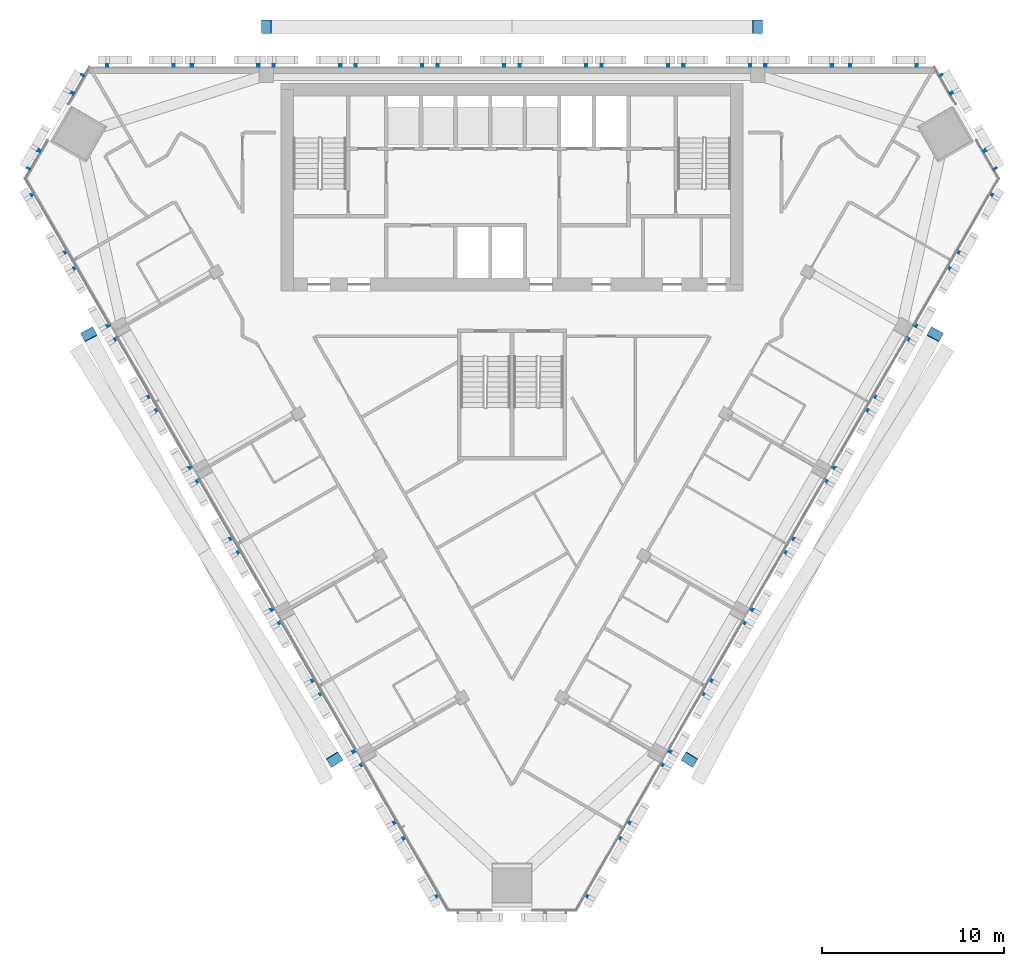
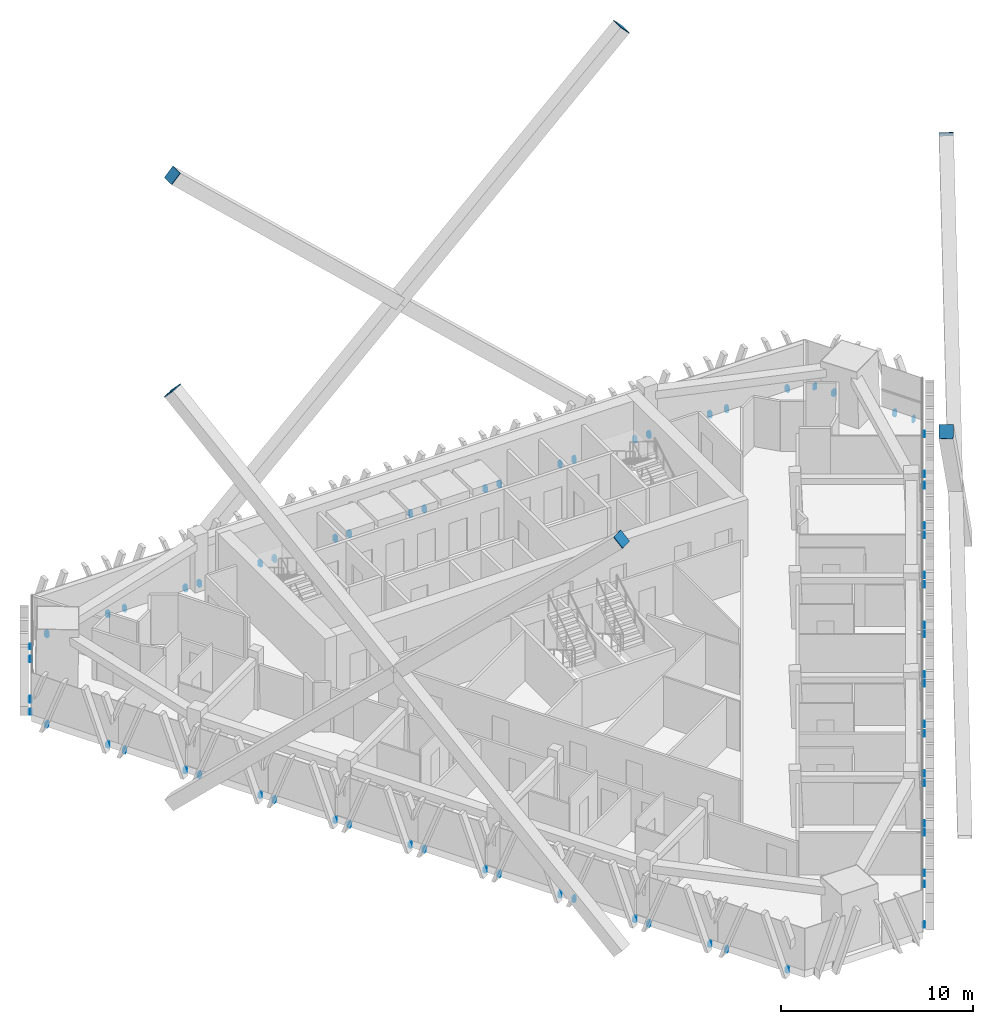
# One storey, part 15 of 18: 11 discrete accessories.
"""IFC4 building model written with IfcOpenShell, lengths in metres."""

from ifc_helpers import new_model, si_unit, direction, frame, origin, origin_2d, place, context, subcontext, project, spatial, polyline, rectangle, outline, extrude, source, transform, mapped, material, material_profile, profile_set, type_object, element, save


model = new_model("IFC4")

# Units and contexts
model_context = context("Model", 3, precision=1e-05, world=origin(), true_north=direction((0.0, 1.0)))
body_context = subcontext(model_context, "Body", "Model", "MODEL_VIEW")
ifc_project = project(units=[si_unit("LENGTHUNIT", "METRE"), si_unit("AREAUNIT", "SQUARE_METRE"), si_unit("VOLUMEUNIT", "CUBIC_METRE"), si_unit("PLANEANGLEUNIT", "RADIAN"), si_unit("MASSUNIT", "GRAM", prefix="KILO")], contexts=[model_context])

# Site, building, storey
site_placement = place(None, origin())
site = spatial("IfcSite", under=ifc_project, at=site_placement, CompositionType="ELEMENT")
building_placement = place(site_placement, origin())
building = spatial("IfcBuilding", under=site, at=building_placement, Name="Altiplano Prism Tower", CompositionType="ELEMENT")
storey_placement = place(building_placement, frame((0.0, 0.0, 163.800048828125)))
storey = spatial("IfcBuildingStorey", under=building, at=storey_placement, Name="L42", CompositionType="ELEMENT", Elevation=163.800048828125)

# Discrete accessories
ifc_material_1 = material(Name="Steel S355", Category="steel")
ifc_material_profile = material_profile(ifc_material_1, rectangle(XDim=0.75, YDim=0.75, at=origin_2d()), Name="Brace end plate 750x750x40")
ifc_profile_set = profile_set([ifc_material_profile], Name="Steel S355")
discrete_accessory_type_1 = type_object("IfcDiscreteAccessoryType", Name="Brace end plate 750x750x40", PredefinedType="ANCHORPLATE", material=ifc_profile_set)
for number, where, z_axis, x_axis, name in (
    (1, (71.5, 107.199951171875, 24.550048828125), (0.725151558483, 0.0, -0.68858929503), (0.0, 1.0, 0.0), "Brace end plate Mega brace 4.0.2 end 2"),
    (2, (98.5, 107.199951171875, 24.550048828125), (-0.725151558483, 0.0, -0.68858929503), (0.0, -1.0, 0.0), "Brace end plate Mega brace 4.0.4 end 2"),
):
    element("IfcDiscreteAccessory", number, at=place(storey_placement, frame(where, z_axis=z_axis, x_axis=x_axis)), inside=storey, type_object=discrete_accessory_type_1, Name=name, PredefinedType="ANCHORPLATE", context=body_context, shape_type="SweptSolid", body=[
        extrude(rectangle(XDim=0.75, YDim=0.75, at=origin_2d()), origin(), (0.0, 0.0, 1.0), 0.0400390625),
    ])
discrete_accessory_1_placement = place(storey_placement, frame((75.2578125, 66.943115234375, 24.550048828125), z_axis=(-0.382232579496, 0.612785563954, -0.691658953374), x_axis=(-0.848469916802, -0.52924361147, 0.0)))
element("IfcDiscreteAccessory", 3, at=discrete_accessory_1_placement, inside=storey, type_object=discrete_accessory_type_1, Name="Brace end plate Mega brace 4.1.2 end 2", PredefinedType="ANCHORPLATE", context=body_context, shape_type="SweptSolid", body=[
    extrude(rectangle(XDim=0.75, YDim=0.75, at=origin_2d()), origin(), (0.0, 0.0, 1.0), 0.040283203125),
])
for number, where, z_axis, x_axis, name in (
    (4, (61.7578125, 90.325927734375, 24.550048828125), (0.341399953854, -0.652317768972, -0.676703479961), (0.885993551439, 0.463697559632, 0.0), "Brace end plate Mega brace 4.1.4 end 2"),
    (5, (108.2421875, 90.325927734375, 24.550048828125), (-0.341399953854, -0.652317768972, -0.676703479961), (0.885993551439, -0.463697559632, 0.0), "Brace end plate Mega brace 4.2.2 end 2"),
):
    element("IfcDiscreteAccessory", number, at=place(storey_placement, frame(where, z_axis=z_axis, x_axis=x_axis)), inside=storey, type_object=discrete_accessory_type_1, Name=name, PredefinedType="ANCHORPLATE", context=body_context, shape_type="SweptSolid", body=[
        extrude(rectangle(XDim=0.75, YDim=0.75, at=origin_2d()), origin(), (0.0, 0.0, 1.0), 0.0400390625),
    ])
discrete_accessory_2_placement = place(storey_placement, frame((94.7421875, 66.943115234375, 24.550048828125), z_axis=(0.382232579496, 0.612785563954, -0.691658953374), x_axis=(-0.848469916802, 0.52924361147, 0.0)))
element("IfcDiscreteAccessory", 6, at=discrete_accessory_2_placement, inside=storey, type_object=discrete_accessory_type_1, Name="Brace end plate Mega brace 4.2.4 end 2", PredefinedType="ANCHORPLATE", context=body_context, shape_type="SweptSolid", body=[
    extrude(rectangle(XDim=0.75, YDim=0.75, at=origin_2d()), origin(), (0.0, 0.0, 1.0), 0.040283203125),
])
ifc_material_2 = material(Name="Stainless steel", Category="steel")
discrete_accessory_type_2 = type_object("IfcDiscreteAccessoryType", Name="Stone fin fixing prongs", PredefinedType="USERDEFINED", material=ifc_material_2)
shared_shape_1 = source(origin(), body_context, "Body", "SweptSolid", [
    extrude(outline(polyline([(-1.888427734375, 0.06005859375), (-1.768310546875, 0.06005859375), (-1.768310546875, 0.389892578125), (-1.888427734375, 0.389892578125), (-1.888427734375, 0.06005859375)])), frame((0.0, 0.0, 0.0), z_axis=(0.0, -1.0, 0.0), x_axis=(1.0, 0.0, 0.0)), (0.0, 0.0, 1.0), 0.14990234375),
    extrude(outline(polyline([(1.768310546875, 0.06005859375), (1.888427734375, 0.06005859375), (1.888427734375, 0.389892578125), (1.768310546875, 0.389892578125), (1.768310546875, 0.06005859375)])), frame((0.0, 0.0, 0.0), z_axis=(0.0, -1.0, 0.0), x_axis=(1.0, 0.0, 0.0)), (0.0, 0.0, 1.0), 0.14990234375),
])
shared_shape_2 = source(origin(), body_context, "Body", "SweptSolid", [
    extrude(outline(polyline([(-1.888427734375, 0.06005859375), (-1.768310546875, 0.06005859375), (-1.768310546875, 0.389892578125), (-1.888427734375, 0.389892578125), (-1.888427734375, 0.06005859375)])), frame((0.0, 0.0, 0.0), z_axis=(0.0, -1.0, 0.0), x_axis=(1.0, 0.0, 0.0)), (0.0, 0.0, 1.0), 0.14990234375),
    extrude(outline(polyline([(1.768310546875, 0.06005859375), (1.888427734375, 0.06005859375), (1.888427734375, 0.389892578125), (1.768310546875, 0.389892578125), (1.768310546875, 0.06005859375)])), frame((0.0, 0.0, 0.0), z_axis=(0.0, -1.0, 0.0), x_axis=(1.0, 0.0, 0.0)), (0.0, 0.0, 1.0), 0.14990234375),
])
discrete_accessory_3_placement = place(storey_placement, origin())
element("IfcDiscreteAccessory", 7, at=discrete_accessory_3_placement, inside=storey, type_object=discrete_accessory_type_2, Name="Fin fixings L42 north face", ObjectType="BRACKET", PredefinedType="USERDEFINED", context=body_context, shape_type="MappedRepresentation", body=[
    mapped(shared_shape_1, transform((105.409423828125, 105.0, -0.449951171875), x_axis=(-1.0, 0.0, 0.0), y_axis=(0.0, -1.0, 0.0), z_axis=(0.0, 0.0, 1.0))),
    mapped(shared_shape_2, transform((100.75, 105.0, -0.449951171875), x_axis=(-1.0, 0.0, 0.0), y_axis=(0.0, -1.0, 0.0), z_axis=(0.0, 0.0, 1.0))),
    mapped(shared_shape_2, transform((96.25, 105.0, -0.449951171875), x_axis=(-1.0, 0.0, 0.0), y_axis=(0.0, -1.0, 0.0), z_axis=(0.0, 0.0, 1.0))),
    mapped(shared_shape_2, transform((91.75, 105.0, -0.449951171875), x_axis=(-1.0, 0.0, 0.0), y_axis=(0.0, -1.0, 0.0), z_axis=(0.0, 0.0, 1.0))),
    mapped(shared_shape_2, transform((87.25, 105.0, -0.449951171875), x_axis=(-1.0, 0.0, 0.0), y_axis=(0.0, -1.0, 0.0), z_axis=(0.0, 0.0, 1.0))),
    mapped(shared_shape_2, transform((82.75, 105.0, -0.449951171875), x_axis=(-1.0, 0.0, 0.0), y_axis=(0.0, -1.0, 0.0), z_axis=(0.0, 0.0, 1.0))),
    mapped(shared_shape_2, transform((78.25, 105.0, -0.449951171875), x_axis=(-1.0, 0.0, 0.0), y_axis=(0.0, -1.0, 0.0), z_axis=(0.0, 0.0, 1.0))),
    mapped(shared_shape_2, transform((73.75, 105.0, -0.449951171875), x_axis=(-1.0, 0.0, 0.0), y_axis=(0.0, -1.0, 0.0), z_axis=(0.0, 0.0, 1.0))),
    mapped(shared_shape_2, transform((69.25, 105.0, -0.449951171875), x_axis=(-1.0, 0.0, 0.0), y_axis=(0.0, -1.0, 0.0), z_axis=(0.0, 0.0, 1.0))),
    mapped(shared_shape_1, transform((64.590576171875, 105.0, -0.449951171875), x_axis=(-1.0, 0.0, 0.0), y_axis=(0.0, -1.0, 0.0), z_axis=(0.0, 0.0, 1.0))),
])
discrete_accessory_4_placement = place(storey_placement, origin())
element("IfcDiscreteAccessory", 8, at=discrete_accessory_4_placement, inside=storey, type_object=discrete_accessory_type_2, Name="Fin fixings L42 south-west face", ObjectType="BRACKET", PredefinedType="USERDEFINED", context=body_context, shape_type="MappedRepresentation", body=[
    mapped(shared_shape_1, transform((59.6484375, 96.439697265625, -0.449951171875), x_axis=(0.500000004956, -0.866025400923, 0.0), y_axis=(0.866025400923, 0.500000004956, 0.0), z_axis=(0.0, 0.0, 1.0))),
    mapped(shared_shape_2, transform((61.97802734375, 92.404541015625, -0.449951171875), x_axis=(0.500000004956, -0.866025400923, 0.0), y_axis=(0.866025400923, 0.500000004956, 0.0), z_axis=(0.0, 0.0, 1.0))),
    mapped(shared_shape_2, transform((64.22802734375, 88.507568359375, -0.449951171875), x_axis=(0.500000004956, -0.866025400923, 0.0), y_axis=(0.866025400923, 0.500000004956, 0.0), z_axis=(0.0, 0.0, 1.0))),
    mapped(shared_shape_2, transform((66.47802734375, 84.6103515625, -0.449951171875), x_axis=(0.500000004956, -0.866025400923, 0.0), y_axis=(0.866025400923, 0.500000004956, 0.0), z_axis=(0.0, 0.0, 1.0))),
    mapped(shared_shape_2, transform((68.72802734375, 80.71337890625, -0.449951171875), x_axis=(0.500000004956, -0.866025400923, 0.0), y_axis=(0.866025400923, 0.500000004956, 0.0), z_axis=(0.0, 0.0, 1.0))),
    mapped(shared_shape_2, transform((70.97802734375, 76.816162109375, -0.449951171875), x_axis=(0.500000004956, -0.866025400923, 0.0), y_axis=(0.866025400923, 0.500000004956, 0.0), z_axis=(0.0, 0.0, 1.0))),
    mapped(shared_shape_2, transform((73.22802734375, 72.919189453125, -0.449951171875), x_axis=(0.500000004956, -0.866025400923, 0.0), y_axis=(0.866025400923, 0.500000004956, 0.0), z_axis=(0.0, 0.0, 1.0))),
    mapped(shared_shape_2, transform((75.47802734375, 69.02197265625, -0.449951171875), x_axis=(0.500000004956, -0.866025400923, 0.0), y_axis=(0.866025400923, 0.500000004956, 0.0), z_axis=(0.0, 0.0, 1.0))),
    mapped(shared_shape_2, transform((77.72802734375, 65.124755859375, -0.449951171875), x_axis=(0.500000004956, -0.866025400923, 0.0), y_axis=(0.866025400923, 0.500000004956, 0.0), z_axis=(0.0, 0.0, 1.0))),
    mapped(shared_shape_1, transform((80.057861328125, 61.08984375, -0.449951171875), x_axis=(0.500000004956, -0.866025400923, 0.0), y_axis=(0.866025400923, 0.500000004956, 0.0), z_axis=(0.0, 0.0, 1.0))),
])
discrete_accessory_5_placement = place(storey_placement, origin())
element("IfcDiscreteAccessory", 9, at=discrete_accessory_5_placement, inside=storey, type_object=discrete_accessory_type_2, Name="Fin fixings L42 south-east face", ObjectType="BRACKET", PredefinedType="USERDEFINED", context=body_context, shape_type="MappedRepresentation", body=[
    mapped(shared_shape_1, transform((89.942138671875, 61.08984375, -0.449951171875), x_axis=(0.500000004956, 0.866025400923, 0.0), y_axis=(-0.866025400923, 0.500000004956, 0.0), z_axis=(0.0, 0.0, 1.0))),
    mapped(shared_shape_2, transform((92.27197265625, 65.124755859375, -0.449951171875), x_axis=(0.500000004956, 0.866025400923, 0.0), y_axis=(-0.866025400923, 0.500000004956, 0.0), z_axis=(0.0, 0.0, 1.0))),
    mapped(shared_shape_2, transform((94.52197265625, 69.02197265625, -0.449951171875), x_axis=(0.500000004956, 0.866025400923, 0.0), y_axis=(-0.866025400923, 0.500000004956, 0.0), z_axis=(0.0, 0.0, 1.0))),
    mapped(shared_shape_2, transform((96.77197265625, 72.919189453125, -0.449951171875), x_axis=(0.500000004956, 0.866025400923, 0.0), y_axis=(-0.866025400923, 0.500000004956, 0.0), z_axis=(0.0, 0.0, 1.0))),
    mapped(shared_shape_2, transform((99.02197265625, 76.816162109375, -0.449951171875), x_axis=(0.500000004956, 0.866025400923, 0.0), y_axis=(-0.866025400923, 0.500000004956, 0.0), z_axis=(0.0, 0.0, 1.0))),
    mapped(shared_shape_2, transform((101.27197265625, 80.71337890625, -0.449951171875), x_axis=(0.500000004956, 0.866025400923, 0.0), y_axis=(-0.866025400923, 0.500000004956, 0.0), z_axis=(0.0, 0.0, 1.0))),
    mapped(shared_shape_2, transform((103.52197265625, 84.6103515625, -0.449951171875), x_axis=(0.500000004956, 0.866025400923, 0.0), y_axis=(-0.866025400923, 0.500000004956, 0.0), z_axis=(0.0, 0.0, 1.0))),
    mapped(shared_shape_2, transform((105.77197265625, 88.507568359375, -0.449951171875), x_axis=(0.500000004956, 0.866025400923, 0.0), y_axis=(-0.866025400923, 0.500000004956, 0.0), z_axis=(0.0, 0.0, 1.0))),
    mapped(shared_shape_2, transform((108.02197265625, 92.404541015625, -0.449951171875), x_axis=(0.500000004956, 0.866025400923, 0.0), y_axis=(-0.866025400923, 0.500000004956, 0.0), z_axis=(0.0, 0.0, 1.0))),
    mapped(shared_shape_1, transform((110.3515625, 96.439697265625, -0.449951171875), x_axis=(0.500000004956, 0.866025400923, 0.0), y_axis=(-0.866025400923, 0.500000004956, 0.0), z_axis=(0.0, 0.0, 1.0))),
])
shared_shape_3 = source(origin(), body_context, "Body", "SweptSolid", [
    extrude(outline(polyline([(-2.989990234375, 0.06005859375), (-2.9384765625, 0.06005859375), (-2.9384765625, 0.389892578125), (-2.989990234375, 0.389892578125), (-2.989990234375, 0.06005859375)])), frame((0.0, 0.0, 0.0), z_axis=(0.0, -1.0, 0.0), x_axis=(1.0, 0.0, 0.0)), (0.0, 0.0, 1.0), 0.14990234375),
    extrude(outline(polyline([(-1.888427734375, 0.06005859375), (-1.768310546875, 0.06005859375), (-1.768310546875, 0.389892578125), (-1.888427734375, 0.389892578125), (-1.888427734375, 0.06005859375)])), frame((0.0, 0.0, 0.0), z_axis=(0.0, -1.0, 0.0), x_axis=(1.0, 0.0, 0.0)), (0.0, 0.0, 1.0), 0.14990234375),
    extrude(outline(polyline([(1.768310546875, 0.06005859375), (1.888427734375, 0.06005859375), (1.888427734375, 0.389892578125), (1.768310546875, 0.389892578125), (1.768310546875, 0.06005859375)])), frame((0.0, 0.0, 0.0), z_axis=(0.0, -1.0, 0.0), x_axis=(1.0, 0.0, 0.0)), (0.0, 0.0, 1.0), 0.14990234375),
    extrude(outline(polyline([(2.9384765625, 0.06005859375), (2.989990234375, 0.06005859375), (2.989990234375, 0.389892578125), (2.9384765625, 0.389892578125), (2.9384765625, 0.06005859375)])), frame((0.0, 0.0, 0.0), z_axis=(0.0, -1.0, 0.0), x_axis=(1.0, 0.0, 0.0)), (0.0, 0.0, 1.0), 0.14990234375),
])
discrete_accessory_6_placement = place(storey_placement, origin())
element("IfcDiscreteAccessory", 10, at=discrete_accessory_6_placement, inside=storey, type_object=discrete_accessory_type_2, Name="Fin fixings L42 north-west chamfer", ObjectType="BRACKET", PredefinedType="USERDEFINED", context=body_context, shape_type="MappedRepresentation", body=[
    mapped(shared_shape_3, transform((60.012451171875, 101.936279296875, -0.449951171875), x_axis=(-0.500000015054, -0.866025395093, 0.0), y_axis=(0.866025395093, -0.500000015054, 0.0), z_axis=(0.0, 0.0, 1.0))),
])
discrete_accessory_7_placement = place(storey_placement, origin())
element("IfcDiscreteAccessory", 11, at=discrete_accessory_7_placement, inside=storey, type_object=discrete_accessory_type_2, Name="Fin fixings L42 north-east chamfer", ObjectType="BRACKET", PredefinedType="USERDEFINED", context=body_context, shape_type="MappedRepresentation", body=[
    mapped(shared_shape_3, transform((109.987548828125, 101.936279296875, -0.449951171875), x_axis=(-0.500000015054, 0.866025395093, 0.0), y_axis=(-0.866025395093, -0.500000015054, 0.0), z_axis=(0.0, 0.0, 1.0))),
])

save(model, "model.ifc")
